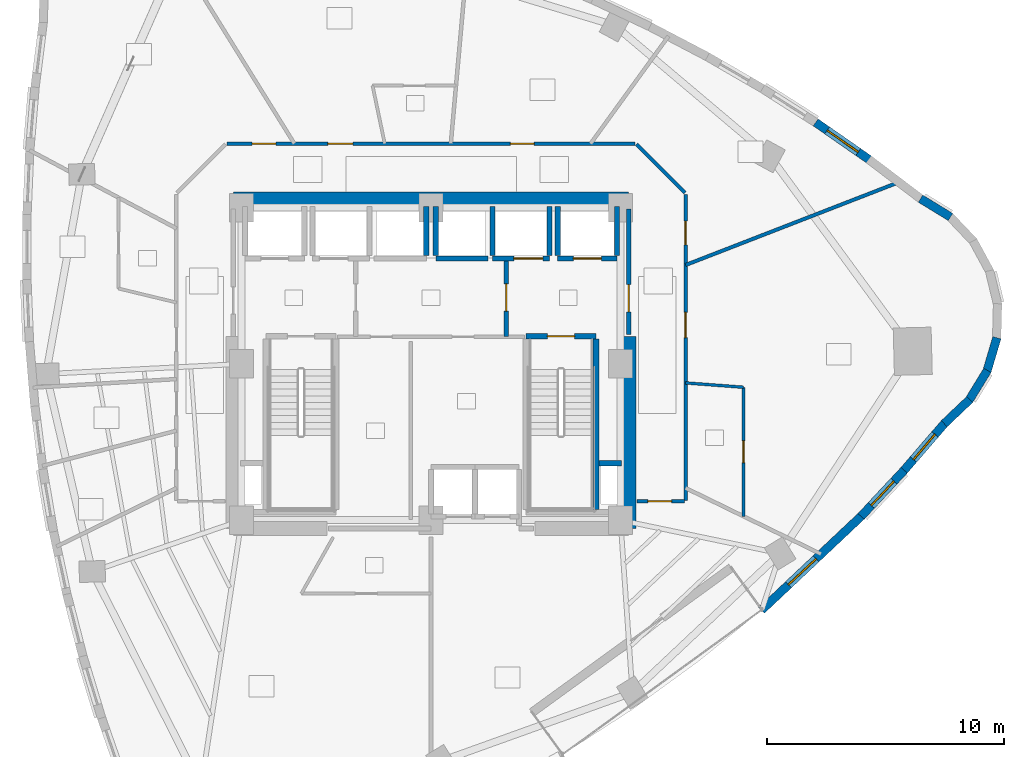
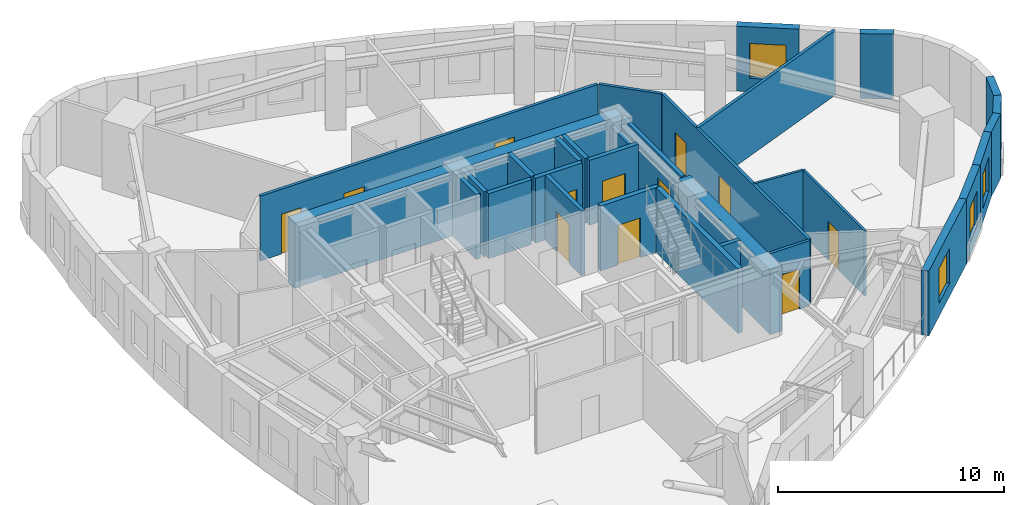
# One storey, part 7 of 12: 31 walls, 12 doors, 4 windows, 16 openings.
"""IFC4 building model written with IfcOpenShell, lengths in metres."""

from ifc_helpers import new_model, si_unit, direction, frame, frame_2d, origin, place, context, subcontext, project, spatial, rectangle, extrude, material, layer, layer_set, type_object, element, fill, save


model = new_model("IFC4")

# Units and contexts
model_context = context("Model", 3, precision=1e-05, world=origin(), true_north=direction((0.0, 1.0)))
body_context = subcontext(model_context, "Body", "Model", "MODEL_VIEW")
ifc_project = project(units=[si_unit("LENGTHUNIT", "METRE"), si_unit("AREAUNIT", "SQUARE_METRE"), si_unit("VOLUMEUNIT", "CUBIC_METRE"), si_unit("PLANEANGLEUNIT", "RADIAN"), si_unit("MASSUNIT", "GRAM", prefix="KILO")], contexts=[model_context])

# Site, building, storey
site_placement = place(None, origin())
site = spatial("IfcSite", under=ifc_project, at=site_placement, CompositionType="ELEMENT")
building_placement = place(site_placement, origin())
building = spatial("IfcBuilding", under=site, at=building_placement, Name="Ndelora Gate Hotel", CompositionType="ELEMENT")
storey_placement = place(building_placement, frame((0.0, 0.0, 142.25)))
storey = spatial("IfcBuildingStorey", under=building, at=storey_placement, Name="L35", CompositionType="ELEMENT", Elevation=142.25)

# Wall, opening, window
ifc_material_1 = material(Name="Clay Brick Masonry", Category="masonry")
ifc_layer_1 = layer(ifc_material_1, 0.360107421875)
ifc_layer_set_1 = layer_set([ifc_layer_1], Name="Clay Brick Masonry")
wall_type_1 = type_object("IfcWallType", Name="WL-BRICK-360", PredefinedType="SOLIDWALL", material=ifc_layer_set_1)
wall_1_placement = place(storey_placement, frame((18.1962890625, -6.4072265625, 0.0), z_axis=(0.0, 0.0, 1.0), x_axis=(-0.727867791097, -0.685717491889, 0.0)))
wall_1 = element("IfcWall", 1, at=wall_1_placement, inside=storey, type_object=wall_type_1, Name="L35 Tower Brick Pier-and-Spandrel Wall TWR-36", PredefinedType="SOLIDWALL", context=body_context, shape_type="SweptSolid", body=[
    extrude(rectangle(XDim=5.826904296875, YDim=0.360107421875, at=frame_2d((2.91357421875, 0.0))), origin(), (0.0, 0.0, 1.0), 3.5),
])
opening_1_placement = place(wall_1_placement, frame((2.659912109375, 0.0, 0.719970703125)))
opening_1 = element("IfcOpeningElement", 2, at=opening_1_placement, cuts=wall_1, Name="Opening W01", PredefinedType="OPENING", context=body_context, shape_type="SweptSolid", body=[
    extrude(rectangle(XDim=1.60009765625, YDim=1.8798828125, at=frame_2d((0.800048828125, 0.93994140625))), frame((0.0, 0.18994140625, 0.0), z_axis=(0.0, -1.0, 0.0), x_axis=(1.0, 0.0, 0.0)), (0.0, 0.0, 1.0), 0.380126953125),
])
ifc_material_2 = material(Name="Insulated Low-E Double Glazing in Bronze Aluminium Frame", Category="aluminium")
window_type_1 = type_object("IfcWindowType", Name="WN-DEEP-1600", PartitioningType="SINGLE_PANEL", PredefinedType="WINDOW", material=ifc_material_2)
window_1_placement = place(opening_1_placement, origin())
window_1 = element("IfcWindow", 3, at=window_1_placement, inside=storey, type_object=window_type_1, Name="L35 Deep-Set Brick-Pier Window W01", OverallHeight=1.8798828125, OverallWidth=1.60009765625, PartitioningType="SINGLE_PANEL", PredefinedType="WINDOW", context=body_context, shape_type="SweptSolid", body=[
    extrude(rectangle(XDim=1.60009765625, YDim=1.8798828125, at=frame_2d((0.800048828125, 0.93994140625))), frame((0.0, 0.030029296875, 0.0), z_axis=(0.0, -1.0, 0.0), x_axis=(1.0, 0.0, 0.0)), (0.0, 0.0, 1.0), 0.06005859375),
])
fill(opening_1, window_1)

wall_2_placement = place(storey_placement, frame((19.982666015625, -4.4912109375, 0.0), z_axis=(0.0, 0.0, 1.0), x_axis=(-0.682409479106, -0.730970110761, 0.0)))
wall_2 = element("IfcWall", 4, at=wall_2_placement, inside=storey, type_object=wall_type_1, Name="L35 Tower Brick Pier-and-Spandrel Wall TWR-37", PredefinedType="SOLIDWALL", context=body_context, shape_type="SweptSolid", body=[
    extrude(rectangle(XDim=2.669677734375, YDim=0.360107421875, at=frame_2d((1.3349609375, 0.0))), origin(), (0.0, 0.0, 1.0), 3.5),
])
opening_2_placement = place(wall_2_placement, frame((0.634765625, 0.0, 0.719970703125)))
opening_2 = element("IfcOpeningElement", 5, at=opening_2_placement, cuts=wall_2, Name="Opening W02", PredefinedType="OPENING", context=body_context, shape_type="SweptSolid", body=[
    extrude(rectangle(XDim=1.39990234375, YDim=1.840087890625, at=frame_2d((0.699951171875, 0.919921875))), frame((0.0, 0.18994140625, 0.0), z_axis=(0.0, -1.0, 0.0), x_axis=(1.0, 0.0, 0.0)), (0.0, 0.0, 1.0), 0.380126953125),
])
window_type_2 = type_object("IfcWindowType", Name="WN-DEEP-1400", PartitioningType="SINGLE_PANEL", PredefinedType="WINDOW", material=ifc_material_2)
window_2_placement = place(opening_2_placement, origin())
window_2 = element("IfcWindow", 6, at=window_2_placement, inside=storey, type_object=window_type_2, Name="L35 Deep-Set Brick-Pier Window W02", OverallHeight=1.840087890625, OverallWidth=1.39990234375, PartitioningType="SINGLE_PANEL", PredefinedType="WINDOW", context=body_context, shape_type="SweptSolid", body=[
    extrude(rectangle(XDim=1.39990234375, YDim=1.840087890625, at=frame_2d((0.699951171875, 0.919921875))), frame((0.0, 0.030029296875, 0.0), z_axis=(0.0, -1.0, 0.0), x_axis=(1.0, 0.0, 0.0)), (0.0, 0.0, 1.0), 0.06005859375),
])
fill(opening_2, window_2)

wall_3_placement = place(storey_placement, frame((21.707763671875, -2.490478515625, 0.0), z_axis=(0.0, 0.0, 1.0), x_axis=(-0.653319915085, -0.757081956299, 0.0)))
wall_3 = element("IfcWall", 7, at=wall_3_placement, inside=storey, type_object=wall_type_1, Name="L35 Tower Brick Pier-and-Spandrel Wall TWR-38", PredefinedType="SOLIDWALL", context=body_context, shape_type="SweptSolid", body=[
    extrude(rectangle(XDim=2.691650390625, YDim=0.360107421875, at=frame_2d((1.345703125, 0.0))), origin(), (0.0, 0.0, 1.0), 3.5),
])
opening_3_placement = place(wall_3_placement, frame((0.645751953125, 0.0, 0.719970703125)))
opening_3 = element("IfcOpeningElement", 8, at=opening_3_placement, cuts=wall_3, Name="Opening W02", PredefinedType="OPENING", context=body_context, shape_type="SweptSolid", body=[
    extrude(rectangle(XDim=1.39990234375, YDim=1.840087890625, at=frame_2d((0.699951171875, 0.919921875))), frame((0.0, 0.18994140625, 0.0), z_axis=(0.0, -1.0, 0.0), x_axis=(1.0, 0.0, 0.0)), (0.0, 0.0, 1.0), 0.380126953125),
])
window_3_placement = place(opening_3_placement, origin())
window_3 = element("IfcWindow", 9, at=window_3_placement, inside=storey, type_object=window_type_2, Name="L35 Deep-Set Brick-Pier Window W02", OverallHeight=1.840087890625, OverallWidth=1.39990234375, PartitioningType="SINGLE_PANEL", PredefinedType="WINDOW", context=body_context, shape_type="SweptSolid", body=[
    extrude(rectangle(XDim=1.39990234375, YDim=1.840087890625, at=frame_2d((0.699951171875, 0.919921875))), frame((0.0, 0.030029296875, 0.0), z_axis=(0.0, -1.0, 0.0), x_axis=(1.0, 0.0, 0.0)), (0.0, 0.0, 1.0), 0.06005859375),
])
fill(opening_3, window_3)

# Walls
for number, where, z_axis, x_axis, name in (
    (10, (22.751220703125, -1.50390625, 0.0), (0.0, 0.0, 1.0), (-0.725430039612, -0.688295908479, 0.0), "L35 Tower Brick Pier-and-Spandrel Wall TWR-39"),
    (11, (23.496337890625, -0.275634765625, 0.0), (0.0, 0.0, 1.0), (-0.522519673624, -0.852627228439, 0.0), "L35 Tower Brick Pier-and-Spandrel Wall TWR-40"),
    (12, (23.89794921875, 1.103759765625, 0.0), (0.0, 0.0, 1.0), (-0.283909315084, -0.958851135896, 0.0), "L35 Tower Brick Pier-and-Spandrel Wall TWR-41"),
    (13, (20.67431640625, 6.977783203125, 0.0), (0.0, 0.0, 1.0), (0.852627228439, -0.522519673624, 0.0), "L35 Tower Brick Pier-and-Spandrel Wall TWR-46"),
):
    element("IfcWall", number, at=place(storey_placement, frame(where, z_axis=z_axis, x_axis=x_axis)), inside=storey, type_object=wall_type_1, Name=name, PredefinedType="SOLIDWALL", context=body_context, shape_type="SweptSolid", body=[
        extrude(rectangle(XDim=1.48583984375, YDim=0.360107421875, at=frame_2d((0.742919921875, 0.0))), origin(), (0.0, 0.0, 1.0), 3.5),
    ])

# Wall, opening, window
wall_4_placement = place(storey_placement, frame((16.24365234375, 10.198486328125, 0.0), z_axis=(0.0, 0.0, 1.0), x_axis=(0.820851453433, -0.5711417437, 0.0)))
wall_4 = element("IfcWall", 14, at=wall_4_placement, inside=storey, type_object=wall_type_1, Name="L35 Tower Brick Pier-and-Spandrel Wall TWR-48", PredefinedType="SOLIDWALL", context=body_context, shape_type="SweptSolid", body=[
    extrude(rectangle(XDim=2.777587890625, YDim=0.360107421875, at=frame_2d((1.388671875, 0.0))), origin(), (0.0, 0.0, 1.0), 3.5),
])
opening_4_placement = place(wall_4_placement, frame((0.5888671875, 0.0, 0.719970703125)))
opening_4 = element("IfcOpeningElement", 15, at=opening_4_placement, cuts=wall_4, Name="Opening W01", PredefinedType="OPENING", context=body_context, shape_type="SweptSolid", body=[
    extrude(rectangle(XDim=1.60009765625, YDim=1.8798828125, at=frame_2d((0.800048828125, 0.93994140625))), frame((0.0, 0.18994140625, 0.0), z_axis=(0.0, -1.0, 0.0), x_axis=(1.0, 0.0, 0.0)), (0.0, 0.0, 1.0), 0.380126953125),
])
window_4_placement = place(opening_4_placement, origin())
window_4 = element("IfcWindow", 16, at=window_4_placement, inside=storey, type_object=window_type_1, Name="L35 Deep-Set Brick-Pier Window W01", OverallHeight=1.8798828125, OverallWidth=1.60009765625, PartitioningType="SINGLE_PANEL", PredefinedType="WINDOW", context=body_context, shape_type="SweptSolid", body=[
    extrude(rectangle(XDim=1.60009765625, YDim=1.8798828125, at=frame_2d((0.800048828125, 0.93994140625))), frame((0.0, 0.030029296875, 0.0), z_axis=(0.0, -1.0, 0.0), x_axis=(1.0, 0.0, 0.0)), (0.0, 0.0, 1.0), 0.06005859375),
])
fill(opening_4, window_4)

# Walls
ifc_material_3 = material(Name="Concrete C60/75", Category="concrete")
ifc_layer_2 = layer(ifc_material_3, 0.60009765625)
ifc_layer_set_2 = layer_set([ifc_layer_2], Name="Concrete C60/75")
wall_type_2 = type_object("IfcWallType", Name="WL-CORE-600", PredefinedType="SHEAR", material=ifc_layer_set_2)
wall_5_placement = place(storey_placement, frame((-8.35009765625, 6.949951171875, 0.0), z_axis=(0.0, 0.0, 1.0), x_axis=(1.0, 0.0, 0.0)))
element("IfcWall", 17, at=wall_5_placement, inside=storey, type_object=wall_type_2, Name="L35 Core Shear Wall N", PredefinedType="SHEAR", context=body_context, shape_type="SweptSolid", body=[
    extrude(rectangle(XDim=16.7001953125, YDim=0.60009765625, at=frame_2d((8.35009765625, 0.0))), origin(), (0.0, 0.0, 1.0), 3.5),
])
wall_6_placement = place(storey_placement, frame((8.35009765625, -6.949951171875, 0.0), z_axis=(0.0, 0.0, 1.0), x_axis=(0.0, 1.0, 0.0)))
element("IfcWall", 18, at=wall_6_placement, inside=storey, type_object=wall_type_2, Name="L35 Core Shear Wall E", PredefinedType="SHEAR", context=body_context, shape_type="SweptSolid", body=[
    extrude(rectangle(XDim=8.099853515625, YDim=0.60009765625, at=frame_2d((4.0498046875, 0.0))), origin(), (0.0, 0.0, 1.0), 3.5),
])

# Wall, opening, door
ifc_material_4 = material(Name="Concrete C40/50", Category="concrete")
ifc_layer_3 = layer(ifc_material_4, 0.199951171875)
ifc_layer_set_3 = layer_set([ifc_layer_3], Name="Concrete C40/50")
wall_type_3 = type_object("IfcWallType", Name="WL-FIRE-200", PredefinedType="PARTITIONING", material=ifc_layer_set_3)
wall_7_placement = place(storey_placement, frame((3.179931640625, 1.14990234375, 0.0), z_axis=(0.0, 0.0, 1.0), x_axis=(0.0, 1.0, 0.0)))
wall_7 = element("IfcWall", 19, at=wall_7_placement, inside=storey, type_object=wall_type_3, Name="L35 Interior Wall IW-2", PredefinedType="PARTITIONING", context=body_context, shape_type="SweptSolid", body=[
    extrude(rectangle(XDim=3.300048828125, YDim=0.199951171875, at=frame_2d((1.64990234375, 0.0))), origin(), (0.0, 0.0, 1.0), 3.5),
])
opening_5_placement = place(wall_7_placement, frame((1.080078125, 0.0, 0.0)))
opening_5 = element("IfcOpeningElement", 20, at=opening_5_placement, cuts=wall_7, Name="Opening FD1", PredefinedType="OPENING", context=body_context, shape_type="SweptSolid", body=[
    extrude(rectangle(XDim=1.14990234375, YDim=2.14990234375, at=frame_2d((0.574951171875, 1.074951171875))), frame((0.0, 0.10986328125, 0.0), z_axis=(0.0, -1.0, 0.0), x_axis=(1.0, 0.0, 0.0)), (0.0, 0.0, 1.0), 0.219970703125),
])
ifc_material_5 = material(Name="Fire-Rated Timber-Veneer Steel Core", Category="steel")
door_type_1 = type_object("IfcDoorType", Name="DR-FD60", OperationType="SINGLE_SWING_LEFT", PredefinedType="DOOR", material=ifc_material_5)
door_1_placement = place(opening_5_placement, origin())
door_1 = element("IfcDoor", 21, at=door_1_placement, inside=storey, type_object=door_type_1, Name="L35 Firefighting Lobby East Door", OperationType="SINGLE_SWING_LEFT", OverallHeight=2.14990234375, OverallWidth=1.14990234375, PredefinedType="DOOR", context=body_context, shape_type="SweptSolid", body=[
    extrude(rectangle(XDim=1.14990234375, YDim=2.14990234375, at=frame_2d((0.574951171875, 1.074951171875))), frame((0.0, 0.02490234375, 0.0), z_axis=(0.0, -1.0, 0.0), x_axis=(1.0, 0.0, 0.0)), (0.0, 0.0, 1.0), 0.050048828125),
])
fill(opening_5, door_1)

wall_8_placement = place(storey_placement, frame((8.35009765625, 1.25, 0.0), z_axis=(0.0, 0.0, 1.0), x_axis=(0.0, 1.0, 0.0)))
wall_8 = element("IfcWall", 22, at=wall_8_placement, inside=storey, type_object=wall_type_3, Name="L35 Interior Wall IW-2", PredefinedType="PARTITIONING", context=body_context, shape_type="SweptSolid", body=[
    extrude(rectangle(XDim=5.300048828125, YDim=0.199951171875, at=frame_2d((2.64990234375, 0.0))), origin(), (0.0, 0.0, 1.0), 3.5),
])
opening_6_placement = place(wall_8_placement, frame((0.949951171875, 0.0, 0.0)))
opening_6 = element("IfcOpeningElement", 23, at=opening_6_placement, cuts=wall_8, Name="Opening FD1", PredefinedType="OPENING", context=body_context, shape_type="SweptSolid", body=[
    extrude(rectangle(XDim=1.14990234375, YDim=2.14990234375, at=frame_2d((0.574951171875, 1.074951171875))), frame((0.0, 0.10986328125, 0.0), z_axis=(0.0, -1.0, 0.0), x_axis=(1.0, 0.0, 0.0)), (0.0, 0.0, 1.0), 0.219970703125),
])
door_2_placement = place(opening_6_placement, origin())
door_2 = element("IfcDoor", 24, at=door_2_placement, inside=storey, type_object=door_type_1, Name="L35 Firefighting Lobby East Corridor Door", OperationType="SINGLE_SWING_RIGHT", OverallHeight=2.14990234375, OverallWidth=1.14990234375, PredefinedType="DOOR", context=body_context, shape_type="SweptSolid", body=[
    extrude(rectangle(XDim=1.14990234375, YDim=2.14990234375, at=frame_2d((0.574951171875, 1.074951171875))), frame((0.0, 0.02490234375, 0.0), z_axis=(0.0, -1.0, 0.0), x_axis=(1.0, 0.0, 0.0)), (0.0, 0.0, 1.0), 0.050048828125),
])
fill(opening_6, door_2)

ifc_material_6 = material(Name="Fire-Rated Gypsum Stud Partition", Category="gypsum")
ifc_layer_4 = layer(ifc_material_6, 0.14990234375)
ifc_layer_set_4 = layer_set([ifc_layer_4], Name="Fire-Rated Gypsum Stud Partition")
wall_type_4 = type_object("IfcWallType", Name="WL-PART-150", PredefinedType="PARTITIONING", material=ifc_layer_set_4)
wall_9_placement = place(storey_placement, frame((10.7099609375, -5.800048828125, 0.0), z_axis=(0.0, 0.0, 1.0), x_axis=(-1.0, 0.0, 0.0)))
wall_9 = element("IfcWall", 25, at=wall_9_placement, inside=storey, type_object=wall_type_4, Name="L35 Interior Wall IW-5", PredefinedType="PARTITIONING", context=body_context, shape_type="SweptSolid", body=[
    extrude(rectangle(XDim=2.02001953125, YDim=0.14990234375, at=frame_2d((1.010009765625, 0.0))), origin(), (0.0, 0.0, 1.0), 3.5),
])
opening_7_placement = place(wall_9_placement, frame((0.550048828125, 0.0, 0.0)))
opening_7 = element("IfcOpeningElement", 26, at=opening_7_placement, cuts=wall_9, Name="Opening D01", PredefinedType="OPENING", context=body_context, shape_type="SweptSolid", body=[
    extrude(rectangle(XDim=1.0, YDim=2.14990234375, at=frame_2d((0.5, 1.074951171875))), frame((0.0, 0.0849609375, 0.0), z_axis=(0.0, -1.0, 0.0), x_axis=(1.0, 0.0, 0.0)), (0.0, 0.0, 1.0), 0.169921875),
])
ifc_material_7 = material(Name="Acoustic Hardwood Guest Entrance Door", Category="wood")
door_type_2 = type_object("IfcDoorType", Name="DR-COR-1000", OperationType="SINGLE_SWING_LEFT", PredefinedType="DOOR", material=ifc_material_7)
door_3_placement = place(opening_7_placement, origin())
door_3 = element("IfcDoor", 27, at=door_3_placement, inside=storey, type_object=door_type_2, Name="L35 Sky Garden Tea Dining Room Entrance Door", OperationType="SINGLE_SWING_LEFT", OverallHeight=2.14990234375, OverallWidth=1.0, PredefinedType="DOOR", context=body_context, shape_type="SweptSolid", body=[
    extrude(rectangle(XDim=1.0, YDim=2.14990234375, at=frame_2d((0.5, 1.074951171875))), frame((0.0, 0.02490234375, 0.0), z_axis=(0.0, -1.0, 0.0), x_axis=(1.0, 0.0, 0.0)), (0.0, 0.0, 1.0), 0.050048828125),
])
fill(opening_7, door_3)

# Wall, openings, doors
wall_10_placement = place(storey_placement, frame((10.75, 7.159912109375, 0.0), z_axis=(0.0, 0.0, 1.0), x_axis=(0.0, -1.0, 0.0)))
wall_10 = element("IfcWall", 28, at=wall_10_placement, inside=storey, type_object=wall_type_4, Name="L35 Interior Wall IW-5", PredefinedType="PARTITIONING", context=body_context, shape_type="SweptSolid", body=[
    extrude(rectangle(XDim=12.919921875, YDim=0.14990234375, at=frame_2d((6.4599609375, 0.0))), origin(), (0.0, 0.0, 1.0), 3.5),
])
opening_8_placement = place(wall_10_placement, frame((1.1328125, 0.0, 0.0)))
opening_8 = element("IfcOpeningElement", 29, at=opening_8_placement, cuts=wall_10, Name="Opening D01", PredefinedType="OPENING", context=body_context, shape_type="SweptSolid", body=[
    extrude(rectangle(XDim=1.0, YDim=2.14990234375, at=frame_2d((0.5, 1.074951171875))), frame((0.0, 0.0849609375, 0.0), z_axis=(0.0, -1.0, 0.0), x_axis=(1.0, 0.0, 0.0)), (0.0, 0.0, 1.0), 0.169921875),
])
opening_9_placement = place(wall_10_placement, frame((4.989013671875, 0.0, 0.0)))
opening_9 = element("IfcOpeningElement", 30, at=opening_9_placement, cuts=wall_10, Name="Opening D07", PredefinedType="OPENING", context=body_context, shape_type="SweptSolid", body=[
    extrude(rectangle(XDim=1.06005859375, YDim=2.14990234375, at=frame_2d((0.530029296875, 1.074951171875))), frame((0.0, 0.0849609375, 0.0), z_axis=(0.0, -1.0, 0.0), x_axis=(1.0, 0.0, 0.0)), (0.0, 0.0, 1.0), 0.169921875),
])
door_4_placement = place(opening_8_placement, origin())
door_4 = element("IfcDoor", 31, at=door_4_placement, inside=storey, type_object=door_type_2, Name="L35 Club Fitness Gym Entrance Door", OperationType="SINGLE_SWING_RIGHT", OverallHeight=2.14990234375, OverallWidth=1.0, PredefinedType="DOOR", context=body_context, shape_type="SweptSolid", body=[
    extrude(rectangle(XDim=1.0, YDim=2.14990234375, at=frame_2d((0.5, 1.074951171875))), frame((0.0, 0.02490234375, 0.0), z_axis=(0.0, -1.0, 0.0), x_axis=(1.0, 0.0, 0.0)), (0.0, 0.0, 1.0), 0.050048828125),
])
fill(opening_8, door_4)
ifc_material_8 = material(Name="Diplomatic Suite Acoustic Entrance Door", Category="wood")
door_type_3 = type_object("IfcDoorType", Name="DR-SUITE-1060", OperationType="SINGLE_SWING_LEFT", PredefinedType="DOOR", material=ifc_material_8)
door_5_placement = place(opening_9_placement, origin())
door_5 = element("IfcDoor", 32, at=door_5_placement, inside=storey, type_object=door_type_3, Name="L35 Diplomatic Reception Suite 3802 Entrance Door", OperationType="SINGLE_SWING_RIGHT", OverallHeight=2.14990234375, OverallWidth=1.06005859375, PredefinedType="DOOR", context=body_context, shape_type="SweptSolid", body=[
    extrude(rectangle(XDim=1.06005859375, YDim=2.14990234375, at=frame_2d((0.530029296875, 1.074951171875))), frame((0.0, 0.02490234375, 0.0), z_axis=(0.0, -1.0, 0.0), x_axis=(1.0, 0.0, 0.0)), (0.0, 0.0, 1.0), 0.050048828125),
])
fill(opening_9, door_5)

# Wall
wall_11_placement = place(storey_placement, frame((8.67822265625, 9.271728515625, 0.0), z_axis=(0.0, 0.0, 1.0), x_axis=(0.707106781187, -0.707106781187, 0.0)))
element("IfcWall", 33, at=wall_11_placement, inside=storey, type_object=wall_type_4, Name="L35 Interior Wall IW-5", PredefinedType="PARTITIONING", context=body_context, shape_type="SweptSolid", body=[
    extrude(rectangle(XDim=2.889892578125, YDim=0.14990234375, at=frame_2d((1.44482421875, 0.0))), origin(), (0.0, 0.0, 1.0), 3.5),
])

# Wall, openings, doors
wall_12_placement = place(storey_placement, frame((-8.610107421875, 9.300048828125, 0.0), z_axis=(0.0, 0.0, 1.0), x_axis=(1.0, 0.0, 0.0)))
wall_12 = element("IfcWall", 34, at=wall_12_placement, inside=storey, type_object=wall_type_4, Name="L35 Interior Wall IW-5", PredefinedType="PARTITIONING", context=body_context, shape_type="SweptSolid", body=[
    extrude(rectangle(XDim=17.22021484375, YDim=0.14990234375, at=frame_2d((8.610107421875, 0.0))), origin(), (0.0, 0.0, 1.0), 3.5),
])
opening_10_placement = place(wall_12_placement, frame((11.96630859375, 0.0, 0.0)))
opening_10 = element("IfcOpeningElement", 35, at=opening_10_placement, cuts=wall_12, Name="Opening D01", PredefinedType="OPENING", context=body_context, shape_type="SweptSolid", body=[
    extrude(rectangle(XDim=1.0, YDim=2.14990234375, at=frame_2d((0.5, 1.074951171875))), frame((0.0, 0.0849609375, 0.0), z_axis=(0.0, -1.0, 0.0), x_axis=(1.0, 0.0, 0.0)), (0.0, 0.0, 1.0), 0.169921875),
])
opening_11_placement = place(wall_12_placement, frame((1.05908203125, 0.0, 0.0)))
opening_11 = element("IfcOpeningElement", 36, at=opening_11_placement, cuts=wall_12, Name="Opening D01", PredefinedType="OPENING", context=body_context, shape_type="SweptSolid", body=[
    extrude(rectangle(XDim=1.0, YDim=2.14990234375, at=frame_2d((0.5, 1.074951171875))), frame((0.0, 0.0849609375, 0.0), z_axis=(0.0, -1.0, 0.0), x_axis=(1.0, 0.0, 0.0)), (0.0, 0.0, 1.0), 0.169921875),
])
opening_12_placement = place(wall_12_placement, frame((4.25244140625, 0.0, 0.0)))
opening_12 = element("IfcOpeningElement", 37, at=opening_12_placement, cuts=wall_12, Name="Opening D07", PredefinedType="OPENING", context=body_context, shape_type="SweptSolid", body=[
    extrude(rectangle(XDim=1.06005859375, YDim=2.14990234375, at=frame_2d((0.530029296875, 1.074951171875))), frame((0.0, 0.0849609375, 0.0), z_axis=(0.0, -1.0, 0.0), x_axis=(1.0, 0.0, 0.0)), (0.0, 0.0, 1.0), 0.169921875),
])
door_6_placement = place(opening_10_placement, origin())
door_6 = element("IfcDoor", 38, at=door_6_placement, inside=storey, type_object=door_type_2, Name="L35 Wellness Yoga Studio Entrance Door", OperationType="SINGLE_SWING_LEFT", OverallHeight=2.14990234375, OverallWidth=1.0, PredefinedType="DOOR", context=body_context, shape_type="SweptSolid", body=[
    extrude(rectangle(XDim=1.0, YDim=2.14990234375, at=frame_2d((0.5, 1.074951171875))), frame((0.0, 0.02490234375, 0.0), z_axis=(0.0, -1.0, 0.0), x_axis=(1.0, 0.0, 0.0)), (0.0, 0.0, 1.0), 0.050048828125),
])
fill(opening_10, door_6)
door_7_placement = place(opening_11_placement, origin())
door_7 = element("IfcDoor", 39, at=door_7_placement, inside=storey, type_object=door_type_2, Name="L35 Boutique Travel Shop Entrance Door", OperationType="SINGLE_SWING_LEFT", OverallHeight=2.14990234375, OverallWidth=1.0, PredefinedType="DOOR", context=body_context, shape_type="SweptSolid", body=[
    extrude(rectangle(XDim=1.0, YDim=2.14990234375, at=frame_2d((0.5, 1.074951171875))), frame((0.0, 0.02490234375, 0.0), z_axis=(0.0, -1.0, 0.0), x_axis=(1.0, 0.0, 0.0)), (0.0, 0.0, 1.0), 0.050048828125),
])
fill(opening_11, door_7)
door_8_placement = place(opening_12_placement, origin())
door_8 = element("IfcDoor", 40, at=door_8_placement, inside=storey, type_object=door_type_3, Name="L35 South Horizon Suite 3803 Entrance Door", OperationType="SINGLE_SWING_RIGHT", OverallHeight=2.14990234375, OverallWidth=1.06005859375, PredefinedType="DOOR", context=body_context, shape_type="SweptSolid", body=[
    extrude(rectangle(XDim=1.06005859375, YDim=2.14990234375, at=frame_2d((0.530029296875, 1.074951171875))), frame((0.0, 0.02490234375, 0.0), z_axis=(0.0, -1.0, 0.0), x_axis=(1.0, 0.0, 0.0)), (0.0, 0.0, 1.0), 0.050048828125),
])
fill(opening_12, door_8)

# Walls
wall_13_placement = place(storey_placement, frame((10.75, 4.17431640625, 0.0), z_axis=(0.0, 0.0, 1.0), x_axis=(0.932193195681, 0.361961111068, 0.0)))
element("IfcWall", 41, at=wall_13_placement, inside=storey, type_object=wall_type_4, Name="L35 Interior Wall IW-5", PredefinedType="PARTITIONING", context=body_context, shape_type="SweptSolid", body=[
    extrude(rectangle(XDim=9.666259765625, YDim=0.14990234375, at=frame_2d((4.8330078125, 0.0))), origin(), (0.0, 0.0, 1.0), 3.5),
])
ifc_layer_5 = layer(ifc_material_4, 0.219970703125)
ifc_layer_set_5 = layer_set([ifc_layer_5], Name="Concrete C40/50")
wall_type_5 = type_object("IfcWallType", Name="WL-SHAFT-220", PredefinedType="PARTITIONING", material=ifc_layer_set_5)
wall_14_placement = place(storey_placement, frame((7.090087890625, -4.199951171875, 0.0), z_axis=(0.0, 0.0, 1.0), x_axis=(1.0, 0.0, 0.0)))
element("IfcWall", 42, at=wall_14_placement, inside=storey, type_object=wall_type_5, Name="L35 Interior Wall IW-1", PredefinedType="PARTITIONING", context=body_context, shape_type="SweptSolid", body=[
    extrude(rectangle(XDim=0.9599609375, YDim=0.219970703125, at=frame_2d((0.47998046875, 0.0))), origin(), (0.0, 0.0, 1.0), 3.5),
])

# Wall, opening, door
wall_15_placement = place(storey_placement, frame((5.35009765625, 4.449951171875, 0.0), z_axis=(0.0, 0.0, 1.0), x_axis=(1.0, 0.0, 0.0)))
wall_15 = element("IfcWall", 43, at=wall_15_placement, inside=storey, type_object=wall_type_5, Name="L35 Interior Wall IW-1", PredefinedType="PARTITIONING", context=body_context, shape_type="SweptSolid", body=[
    extrude(rectangle(XDim=2.5, YDim=0.219970703125, at=frame_2d((1.25, 0.0))), origin(), (0.0, 0.0, 1.0), 3.5),
])
opening_13_placement = place(wall_15_placement, frame((0.659912109375, 0.0, 0.0)))
opening_13 = element("IfcOpeningElement", 44, at=opening_13_placement, cuts=wall_15, Name="Opening LD5", PredefinedType="OPENING", context=body_context, shape_type="SweptSolid", body=[
    extrude(rectangle(XDim=1.179931640625, YDim=2.14990234375, at=frame_2d((0.58984375, 1.074951171875))), frame((0.0, 0.1201171875, 0.0), z_axis=(0.0, -1.0, 0.0), x_axis=(1.0, 0.0, 0.0)), (0.0, 0.0, 1.0), 0.239990234375),
])
ifc_material_9 = material(Name="Firefighting Lift Stainless Sliding Landing Door", Category="metal")
door_type_4 = type_object("IfcDoorType", Name="DR-LD5", OperationType="DOUBLE_DOOR_SLIDING", PredefinedType="DOOR", material=ifc_material_9)
door_9_placement = place(opening_13_placement, origin())
door_9 = element("IfcDoor", 45, at=door_9_placement, inside=storey, type_object=door_type_4, Name="L35 Lift Landing Sliding Door FFL2", OperationType="DOUBLE_DOOR_SLIDING", OverallHeight=2.14990234375, OverallWidth=1.179931640625, PredefinedType="DOOR", context=body_context, shape_type="SweptSolid", body=[
    extrude(rectangle(XDim=1.179931640625, YDim=2.14990234375, at=frame_2d((0.58984375, 1.074951171875))), frame((0.0, 0.02490234375, 0.0), z_axis=(0.0, -1.0, 0.0), x_axis=(1.0, 0.0, 0.0)), (0.0, 0.0, 1.0), 0.050048828125),
])
fill(opening_13, door_9)

# Walls
wall_16_placement = place(storey_placement, frame((5.35009765625, 4.570068359375, 0.0), z_axis=(0.0, 0.0, 1.0), x_axis=(0.0, 1.0, 0.0)))
element("IfcWall", 46, at=wall_16_placement, inside=storey, type_object=wall_type_5, Name="L35 Interior Wall IW-1", PredefinedType="PARTITIONING", context=body_context, shape_type="SweptSolid", body=[
    extrude(rectangle(XDim=2.079833984375, YDim=0.219970703125, at=frame_2d((1.0400390625, 0.0))), origin(), (0.0, 0.0, 1.0), 3.5),
])
wall_17_placement = place(storey_placement, frame((7.85009765625, 4.570068359375, 0.0), z_axis=(0.0, 0.0, 1.0), x_axis=(0.0, 1.0, 0.0)))
element("IfcWall", 47, at=wall_17_placement, inside=storey, type_object=wall_type_5, Name="L35 Interior Wall IW-1", PredefinedType="PARTITIONING", context=body_context, shape_type="SweptSolid", body=[
    extrude(rectangle(XDim=2.079833984375, YDim=0.219970703125, at=frame_2d((1.0400390625, 0.0))), origin(), (0.0, 0.0, 1.0), 3.1201171875),
])

# Wall, opening, door
wall_18_placement = place(storey_placement, frame((2.60009765625, 4.449951171875, 0.0), z_axis=(0.0, 0.0, 1.0), x_axis=(1.0, 0.0, 0.0)))
wall_18 = element("IfcWall", 48, at=wall_18_placement, inside=storey, type_object=wall_type_5, Name="L35 Interior Wall IW-1", PredefinedType="PARTITIONING", context=body_context, shape_type="SweptSolid", body=[
    extrude(rectangle(XDim=2.39990234375, YDim=0.219970703125, at=frame_2d((1.199951171875, 0.0))), origin(), (0.0, 0.0, 1.0), 3.5),
])
opening_14_placement = place(wall_18_placement, frame((0.89990234375, 0.0, 0.0)))
opening_14 = element("IfcOpeningElement", 49, at=opening_14_placement, cuts=wall_18, Name="Opening LD6", PredefinedType="OPENING", context=body_context, shape_type="SweptSolid", body=[
    extrude(rectangle(XDim=1.219970703125, YDim=2.14990234375, at=frame_2d((0.60986328125, 1.074951171875))), frame((0.0, 0.1201171875, 0.0), z_axis=(0.0, -1.0, 0.0), x_axis=(1.0, 0.0, 0.0)), (0.0, 0.0, 1.0), 0.239990234375),
])
ifc_material_10 = material(Name="Heavy-Duty Service Lift Sliding Landing Door", Category="wood")
door_type_5 = type_object("IfcDoorType", Name="DR-LD6", OperationType="DOUBLE_DOOR_SLIDING", PredefinedType="DOOR", material=ifc_material_10)
door_10_placement = place(opening_14_placement, origin())
door_10 = element("IfcDoor", 50, at=door_10_placement, inside=storey, type_object=door_type_5, Name="L35 Lift Landing Sliding Door SVL2", OperationType="DOUBLE_DOOR_SLIDING", OverallHeight=2.14990234375, OverallWidth=1.219970703125, PredefinedType="DOOR", context=body_context, shape_type="SweptSolid", body=[
    extrude(rectangle(XDim=1.219970703125, YDim=2.14990234375, at=frame_2d((0.60986328125, 1.074951171875))), frame((0.0, 0.02490234375, 0.0), z_axis=(0.0, -1.0, 0.0), x_axis=(1.0, 0.0, 0.0)), (0.0, 0.0, 1.0), 0.050048828125),
])
fill(opening_14, door_10)

# Walls
for number, where, z_axis, x_axis, name in (
    (51, (2.60009765625, 4.570068359375, 0.0), (0.0, 0.0, 1.0), (0.0, 1.0, 0.0), "L35 Interior Wall IW-1"),
    (52, (5.0, 4.570068359375, 0.0), (0.0, 0.0, 1.0), (0.0, 1.0, 0.0), "L35 Interior Wall IW-1"),
    (53, (-0.199951171875, 4.570068359375, 0.0), (0.0, 0.0, 1.0), (0.0, 1.0, 0.0), "L35 Interior Wall IW-1"),
):
    element("IfcWall", number, at=place(storey_placement, frame(where, z_axis=z_axis, x_axis=x_axis)), inside=storey, type_object=wall_type_5, Name=name, PredefinedType="PARTITIONING", context=body_context, shape_type="SweptSolid", body=[
        extrude(rectangle(XDim=2.079833984375, YDim=0.219970703125, at=frame_2d((1.0400390625, 0.0))), origin(), (0.0, 0.0, 1.0), 3.5),
    ])
wall_19_placement = place(storey_placement, frame((0.199951171875, 4.449951171875, 0.0), z_axis=(0.0, 0.0, 1.0), x_axis=(1.0, 0.0, 0.0)))
element("IfcWall", 54, at=wall_19_placement, inside=storey, type_object=wall_type_5, Name="L35 Interior Wall IW-1", PredefinedType="PARTITIONING", context=body_context, shape_type="SweptSolid", body=[
    extrude(rectangle(XDim=2.199951171875, YDim=0.219970703125, at=frame_2d((1.10009765625, 0.0))), origin(), (0.0, 0.0, 1.0), 3.5),
])
wall_20_placement = place(storey_placement, frame((0.199951171875, 4.570068359375, 0.0), z_axis=(0.0, 0.0, 1.0), x_axis=(0.0, 1.0, 0.0)))
element("IfcWall", 55, at=wall_20_placement, inside=storey, type_object=wall_type_5, Name="L35 Interior Wall IW-1", PredefinedType="PARTITIONING", context=body_context, shape_type="SweptSolid", body=[
    extrude(rectangle(XDim=2.079833984375, YDim=0.219970703125, at=frame_2d((1.0400390625, 0.0))), origin(), (0.0, 0.0, 1.0), 3.5),
])
ifc_material_11 = material(Name="Concrete C50/60", Category="concrete")
ifc_layer_6 = layer(ifc_material_11, 0.239990234375)
ifc_layer_set_6 = layer_set([ifc_layer_6], Name="Concrete C50/60")
wall_type_6 = type_object("IfcWallType", Name="WL-STAIR-240", PredefinedType="SHEAR", material=ifc_layer_set_6)
wall_21_placement = place(storey_placement, frame((6.969970703125, -6.159912109375, 0.0), z_axis=(0.0, 0.0, 1.0), x_axis=(0.0, 1.0, 0.0)))
element("IfcWall", 56, at=wall_21_placement, inside=storey, type_object=wall_type_6, Name="L35 Stair Core Shear Wall SW-ST", PredefinedType="SHEAR", context=body_context, shape_type="SweptSolid", body=[
    extrude(rectangle(XDim=7.219970703125, YDim=0.239990234375, at=frame_2d((3.60986328125, 0.0))), origin(), (0.0, 0.0, 1.0), 3.5),
])

# Wall, opening, door
wall_22_placement = place(storey_placement, frame((4.010009765625, 1.169921875, 0.0), z_axis=(0.0, 0.0, 1.0), x_axis=(1.0, 0.0, 0.0)))
wall_22 = element("IfcWall", 57, at=wall_22_placement, inside=storey, type_object=wall_type_6, Name="L35 Stair Core Shear Wall SW-ST", PredefinedType="SHEAR", context=body_context, shape_type="SweptSolid", body=[
    extrude(rectangle(XDim=2.9599609375, YDim=0.239990234375, at=frame_2d((1.47998046875, 0.0))), origin(), (0.0, 0.0, 1.0), 3.5),
])
opening_15_placement = place(wall_22_placement, frame((0.89990234375, 0.0, 0.0)))
opening_15 = element("IfcOpeningElement", 58, at=opening_15_placement, cuts=wall_22, Name="Opening FD1", PredefinedType="OPENING", context=body_context, shape_type="SweptSolid", body=[
    extrude(rectangle(XDim=1.14990234375, YDim=2.14990234375, at=frame_2d((0.574951171875, 1.074951171875))), frame((0.0, 0.1298828125, 0.0), z_axis=(0.0, -1.0, 0.0), x_axis=(1.0, 0.0, 0.0)), (0.0, 0.0, 1.0), 0.260009765625),
])
door_11_placement = place(opening_15_placement, origin())
door_11 = element("IfcDoor", 59, at=door_11_placement, inside=storey, type_object=door_type_1, Name="L35 Exit Stair ST5 Door", OperationType="SINGLE_SWING_RIGHT", OverallHeight=2.14990234375, OverallWidth=1.14990234375, PredefinedType="DOOR", context=body_context, shape_type="SweptSolid", body=[
    extrude(rectangle(XDim=1.14990234375, YDim=2.14990234375, at=frame_2d((0.574951171875, 1.074951171875))), frame((0.0, 0.02490234375, 0.0), z_axis=(0.0, -1.0, 0.0), x_axis=(1.0, 0.0, 0.0)), (0.0, 0.0, 1.0), 0.050048828125),
])
fill(opening_15, door_11)

# Wall
ifc_material_12 = material(Name="Moisture-Resistant Bathroom Tile Partition", Category="gypsum")
ifc_layer_7 = layer(ifc_material_12, 0.1201171875)
ifc_layer_set_7 = layer_set([ifc_layer_7], Name="Moisture-Resistant Bathroom Tile Partition")
wall_type_7 = type_object("IfcWallType", Name="WL-WET-120", PredefinedType="PARTITIONING", material=ifc_layer_set_7)
wall_23_placement = place(storey_placement, frame((10.75, -0.80419921875, 0.0), z_axis=(0.0, 0.0, 1.0), x_axis=(0.99721134034, -0.074629368868, 0.0)))
element("IfcWall", 60, at=wall_23_placement, inside=storey, type_object=wall_type_7, Name="L35 Interior Wall IW-7", PredefinedType="PARTITIONING", context=body_context, shape_type="SweptSolid", body=[
    extrude(rectangle(XDim=2.456787109375, YDim=0.1201171875, at=frame_2d((1.228515625, 0.0))), origin(), (0.0, 0.0, 1.0), 3.5),
])

# Wall, opening, door
wall_24_placement = place(storey_placement, frame((13.199951171875, -0.987548828125, 0.0), z_axis=(0.0, 0.0, 1.0), x_axis=(0.0, -1.0, 0.0)))
wall_24 = element("IfcWall", 61, at=wall_24_placement, inside=storey, type_object=wall_type_7, Name="L35 Interior Wall IW-7", PredefinedType="PARTITIONING", context=body_context, shape_type="SweptSolid", body=[
    extrude(rectangle(XDim=5.450439453125, YDim=0.1201171875, at=frame_2d((2.72509765625, 0.0))), origin(), (0.0, 0.0, 1.0), 3.5),
])
opening_16_placement = place(wall_24_placement, frame((2.265380859375, 0.0, 0.0)))
opening_16 = element("IfcOpeningElement", 62, at=opening_16_placement, cuts=wall_24, Name="Opening D03", PredefinedType="OPENING", context=body_context, shape_type="SweptSolid", body=[
    extrude(rectangle(XDim=0.919921875, YDim=2.10009765625, at=frame_2d((0.4599609375, 1.050048828125))), frame((0.0, 0.070068359375, 0.0), z_axis=(0.0, -1.0, 0.0), x_axis=(1.0, 0.0, 0.0)), (0.0, 0.0, 1.0), 0.14013671875),
])
ifc_material_13 = material(Name="Moisture-Resistant Hardwood En-Suite Door", Category="wood")
door_type_6 = type_object("IfcDoorType", Name="DR-BATH-920", OperationType="SINGLE_SWING_LEFT", PredefinedType="DOOR", material=ifc_material_13)
door_12_placement = place(opening_16_placement, origin())
door_12 = element("IfcDoor", 63, at=door_12_placement, inside=storey, type_object=door_type_6, Name="L35 En-suite Bathroom 3802 Door", OperationType="SINGLE_SWING_LEFT", OverallHeight=2.10009765625, OverallWidth=0.919921875, PredefinedType="DOOR", context=body_context, shape_type="SweptSolid", body=[
    extrude(rectangle(XDim=0.919921875, YDim=2.10009765625, at=frame_2d((0.4599609375, 1.050048828125))), frame((0.0, 0.02490234375, 0.0), z_axis=(0.0, -1.0, 0.0), x_axis=(1.0, 0.0, 0.0)), (0.0, 0.0, 1.0), 0.050048828125),
])
fill(opening_16, door_12)

save(model, "model.ifc")
